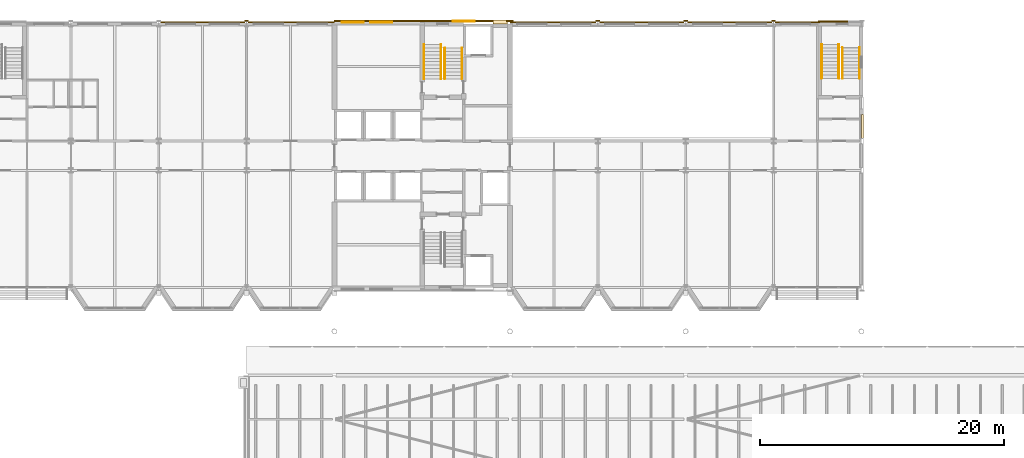
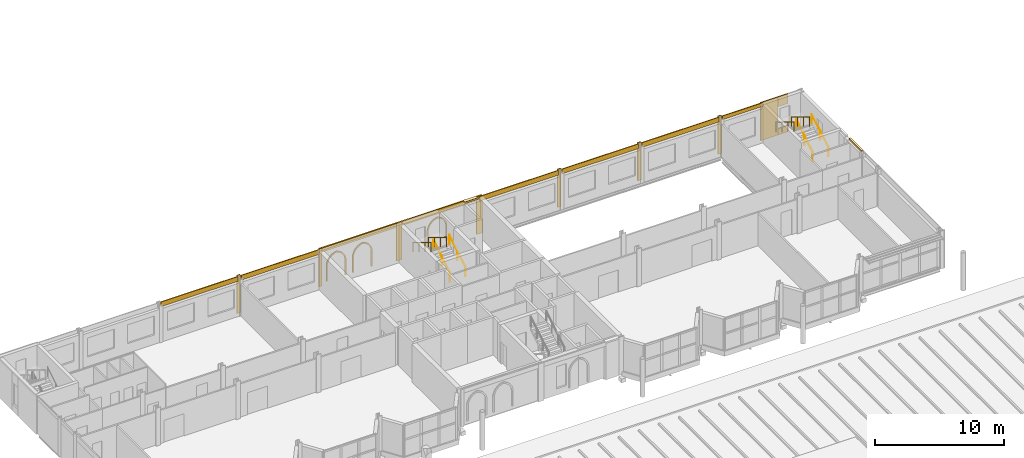
# One storey, part 117 of 120: 23 coverings, 8 railings.
"""IFC4 building model written with IfcOpenShell, lengths in metres."""

from ifc_helpers import new_model, si_unit, direction, frame, origin, origin_2d, place, context, subcontext, project, spatial, polyline, rectangle, circle, outline, extrude, material, layer, layer_set, type_object, element, save


model = new_model("IFC4")

# Units and contexts
model_context = context("Model", 3, precision=1e-05, world=origin(), true_north=direction((0.0, 1.0)))
body_context = subcontext(model_context, "Body", "Model", "MODEL_VIEW")
ifc_project = project(units=[si_unit("LENGTHUNIT", "METRE"), si_unit("AREAUNIT", "SQUARE_METRE"), si_unit("VOLUMEUNIT", "CUBIC_METRE"), si_unit("PLANEANGLEUNIT", "RADIAN"), si_unit("MASSUNIT", "GRAM", prefix="KILO")], contexts=[model_context])

# Site, building, storey
site_placement = place(None, origin())
site = spatial("IfcSite", under=ifc_project, at=site_placement, CompositionType="ELEMENT")
building_placement = place(site_placement, origin())
building = spatial("IfcBuilding", under=site, at=building_placement, Name="Kupolbacken Congress Centre", CompositionType="ELEMENT")
storey_placement = place(building_placement, frame((0.0, 0.0, 21.60009765625)))
storey = spatial("IfcBuildingStorey", under=building, at=storey_placement, Name="L06", CompositionType="ELEMENT", Elevation=21.60009765625)

# Coverings
ifc_material_1 = material(Name="Limestone cladding", Category="masonry")
ifc_layer_1 = layer(ifc_material_1, 0.1201171875)
ifc_layer_set_1 = layer_set([ifc_layer_1], Name="Limestone cladding")
covering_type_1 = type_object("IfcCoveringType", Name="CV1 limestone cladding band 120", PredefinedType="CLADDING", material=ifc_layer_set_1)
covering_1_placement = place(storey_placement, frame((136.885009765625, 135.60009765625, 3.4599609375), z_axis=(0.0, 0.0, 1.0), x_axis=(0.0, 1.0, 0.0)))
element("IfcCovering", 1, at=covering_1_placement, inside=storey, type_object=covering_type_1, Name="E/T/E/L06/082/band", PredefinedType="CLADDING", context=body_context, shape_type="SweptSolid", body=[
    extrude(rectangle(XDim=1.949951171875, YDim=0.169921875, at=origin_2d()), origin(), (0.0, 0.0, 1.0), 0.139892578125),
])
covering_2_placement = place(storey_placement, frame((131.57666015625, 144.12744140625, 3.259765625), z_axis=(0.0, 0.0, 1.0), x_axis=(-1.0, 0.0, 0.0)))
element("IfcCovering", 2, at=covering_2_placement, inside=storey, type_object=covering_type_1, Name="E/T/N/L06/084/band", PredefinedType="CLADDING", context=body_context, shape_type="SweptSolid", body=[
    extrude(rectangle(XDim=3.646484375, YDim=0.0849609375, at=origin_2d()), origin(), (0.0, 0.0, 1.0), 0.340087890625),
])
for number, where, z_axis, x_axis, name in (
    (3, (126.0, 144.12744140625, 3.159912109375), (0.0, 0.0, 1.0), (-1.0, 0.0, 0.0), "E/T/N/L06/085/band"),
    (4, (118.800048828125, 144.12744140625, 3.159912109375), (0.0, 0.0, 1.0), (-1.0, 0.0, 0.0), "E/T/N/L06/086/band"),
):
    element("IfcCovering", number, at=place(storey_placement, frame(where, z_axis=z_axis, x_axis=x_axis)), inside=storey, type_object=covering_type_1, Name=name, PredefinedType="CLADDING", context=body_context, shape_type="SweptSolid", body=[
        extrude(rectangle(XDim=6.89306640625, YDim=0.0849609375, at=origin_2d()), origin(), (0.0, 0.0, 1.0), 0.43994140625),
    ])
covering_3_placement = place(storey_placement, frame((111.523193359375, 144.12744140625, 3.159912109375), z_axis=(0.0, 0.0, 1.0), x_axis=(-1.0, 0.0, 0.0)))
element("IfcCovering", 5, at=covering_3_placement, inside=storey, type_object=covering_type_1, Name="E/T/N/L06/087/band", PredefinedType="CLADDING", context=body_context, shape_type="SweptSolid", body=[
    extrude(rectangle(XDim=7.04638671875, YDim=0.0849609375, at=origin_2d()), origin(), (0.0, 0.0, 1.0), 0.43994140625),
])
covering_4_placement = place(storey_placement, frame((107.199951171875, 144.155029296875, 3.4599609375), z_axis=(0.0, 0.0, 1.0), x_axis=(-1.0, 0.0, 0.0)))
element("IfcCovering", 6, at=covering_4_placement, inside=storey, type_object=covering_type_1, Name="E/T/N/L06/088/band", PredefinedType="CLADDING", context=body_context, shape_type="SweptSolid", body=[
    extrude(rectangle(XDim=1.199951171875, YDim=0.31005859375, at=origin_2d()), origin(), (0.0, 0.0, 1.0), 0.139892578125),
])
covering_5_placement = place(storey_placement, frame((90.07666015625, 144.12744140625, 3.159912109375), z_axis=(0.0, 0.0, 1.0), x_axis=(-1.0, 0.0, 0.0)))
element("IfcCovering", 7, at=covering_5_placement, inside=storey, type_object=covering_type_1, Name="E/T/N/L06/089/band", PredefinedType="CLADDING", context=body_context, shape_type="SweptSolid", body=[
    extrude(rectangle(XDim=7.04638671875, YDim=0.0849609375, at=origin_2d()), origin(), (0.0, 0.0, 1.0), 0.43994140625),
])
covering_6_placement = place(storey_placement, frame((82.800048828125, 144.12744140625, 3.159912109375), z_axis=(0.0, 0.0, 1.0), x_axis=(-1.0, 0.0, 0.0)))
element("IfcCovering", 8, at=covering_6_placement, inside=storey, type_object=covering_type_1, Name="E/T/N/L06/090/band", PredefinedType="CLADDING", context=body_context, shape_type="SweptSolid", body=[
    extrude(rectangle(XDim=6.89306640625, YDim=0.0849609375, at=origin_2d()), origin(), (0.0, 0.0, 1.0), 0.43994140625),
])
ifc_material_2 = material(Name="Brick cladding", Category="masonry")
ifc_layer_2 = layer(ifc_material_2, 0.10791015625)
ifc_layer_set_2 = layer_set([ifc_layer_2], Name="Brick cladding")
covering_type_2 = type_object("IfcCoveringType", Name="CV2 brick cladding band 108", PredefinedType="CLADDING", material=ifc_layer_set_2)
for number, where, z_axis, x_axis, name in (
    (9, (86.39990234375, 144.26611328125, -0.000244140625), (0.0, 0.0, 1.0), (1.0, 0.0, 0.0), "E/T/pilaster/L06/C-T-13W/N"),
    (10, (115.199951171875, 144.26611328125, -0.000244140625), (0.0, 0.0, 1.0), (1.0, 0.0, 0.0), "E/T/pilaster/L06/C-T-17W/N"),
    (11, (122.39990234375, 144.26611328125, -0.000244140625), (0.0, 0.0, 1.0), (1.0, 0.0, 0.0), "E/T/pilaster/L06/C-T-18W/N"),
    (12, (129.60009765625, 144.26611328125, -0.000244140625), (0.0, 0.0, 1.0), (1.0, 0.0, 0.0), "E/T/pilaster/L06/C-T-19W/N"),
):
    element("IfcCovering", number, at=place(storey_placement, frame(where, z_axis=z_axis, x_axis=x_axis)), inside=storey, type_object=covering_type_2, Name=name, PredefinedType="CLADDING", context=body_context, shape_type="SweptSolid", body=[
        extrude(rectangle(XDim=0.306884765625, YDim=0.10009765625, at=origin_2d()), origin(), (0.0, 0.0, 1.0), 3.60009765625),
    ])
covering_7_placement = place(storey_placement, frame((134.02490234375, 144.2041015625, -0.000244140625), z_axis=(0.0, 0.0, 1.0), x_axis=(-1.0, 0.0, 0.0)))
element("IfcCovering", 13, at=covering_7_placement, inside=storey, type_object=covering_type_2, Name="S/core/L06/131/face1", PredefinedType="CLADDING", context=body_context, shape_type="SweptSolid", body=[
    extrude(rectangle(XDim=1.550048828125, YDim=0.10791015625, at=origin_2d()), origin(), (0.0, 0.0, 1.0), 3.60009765625),
])
covering_8_placement = place(storey_placement, frame((135.25, 144.2041015625, -0.000244140625), z_axis=(0.0, 0.0, 1.0), x_axis=(-1.0, 0.0, 0.0)))
element("IfcCovering", 14, at=covering_8_placement, inside=storey, type_object=covering_type_2, Name="S/core/L06/131/face2", PredefinedType="CLADDING", context=body_context, shape_type="SweptSolid", body=[
    extrude(rectangle(XDim=0.89990234375, YDim=0.10791015625, at=origin_2d()), origin(), (0.0, 0.0, 1.0), 0.60009765625),
])
covering_9_placement = place(storey_placement, frame((135.25, 144.2041015625, 2.699951171875), z_axis=(0.0, 0.0, 1.0), x_axis=(-1.0, 0.0, 0.0)))
element("IfcCovering", 15, at=covering_9_placement, inside=storey, type_object=covering_type_2, Name="S/core/L06/131/face3", PredefinedType="CLADDING", context=body_context, shape_type="SweptSolid", body=[
    extrude(rectangle(XDim=0.89990234375, YDim=0.10791015625, at=origin_2d()), origin(), (0.0, 0.0, 1.0), 0.89990234375),
])
covering_10_placement = place(storey_placement, frame((93.72509765625, 144.235107421875, -0.000244140625), z_axis=(0.0, 0.0, 1.0), x_axis=(1.0, 0.0, 0.0)))
element("IfcCovering", 16, at=covering_10_placement, inside=storey, type_object=covering_type_2, Name="E/T/stripe/N/L06/pil93.6", PredefinedType="CLADDING", context=body_context, shape_type="SweptSolid", body=[
    extrude(rectangle(XDim=0.25, YDim=0.1201171875, at=origin_2d()), origin(), (0.0, 0.0, 1.0), 3.60009765625),
])
for number, where, z_axis, x_axis, name in (
    (17, (100.800048828125, 144.235107421875, -0.000244140625), (0.0, 0.0, 1.0), (1.0, 0.0, 0.0), "E/T/stripe/N/L06/pil100.8"),
    (18, (108.0, 144.235107421875, -0.000244140625), (0.0, 0.0, 1.0), (1.0, 0.0, 0.0), "E/T/stripe/N/L06/pil108"),
):
    element("IfcCovering", number, at=place(storey_placement, frame(where, z_axis=z_axis, x_axis=x_axis)), inside=storey, type_object=covering_type_2, Name=name, PredefinedType="CLADDING", context=body_context, shape_type="SweptSolid", body=[
        extrude(rectangle(XDim=0.5, YDim=0.1201171875, at=origin_2d()), origin(), (0.0, 0.0, 1.0), 3.60009765625),
    ])
covering_11_placement = place(storey_placement, frame((97.199951171875, 144.235107421875, 3.199951171875), z_axis=(0.0, 0.0, 1.0), x_axis=(1.0, 0.0, 0.0)))
element("IfcCovering", 19, at=covering_11_placement, inside=storey, type_object=covering_type_2, Name="E/T/stripe/N/L06/belt93.6", PredefinedType="CLADDING", context=body_context, shape_type="SweptSolid", body=[
    extrude(rectangle(XDim=6.699951171875, YDim=0.1201171875, at=origin_2d()), origin(), (0.0, 0.0, 1.0), 0.39990234375),
])
covering_12_placement = place(storey_placement, frame((94.199951171875, 144.10009765625, 0.349853515625), z_axis=(0.0, 1.0, 0.0), x_axis=(-1.0, 0.0, 0.0)))
element("IfcCovering", 20, at=covering_12_placement, inside=storey, type_object=covering_type_2, Name="E/T/stripe/N/L06/niche93.6/1", PredefinedType="CLADDING", context=body_context, shape_type="SweptSolid", body=[
    extrude(outline(polyline([(0.0, 0.0), (0.0, 1.43408203125), (-0.00537109375, 1.54443359375), (-0.021484375, 1.654052734375), (-0.048095703125, 1.761474609375), (-0.084716796875, 1.86572265625), (-0.131591796875, 1.966064453125), (-0.187744140625, 2.061279296875), (-0.2529296875, 2.15087890625), (-0.32666015625, 2.2333984375), (-0.40771484375, 2.30859375), (-0.495849609375, 2.37548828125), (-0.590087890625, 2.433837890625), (-0.689453125, 2.482421875), (-0.793212890625, 2.521240234375), (-0.89990234375, 2.550048828125), (-1.0068359375, 2.521240234375), (-1.110595703125, 2.482421875), (-1.2099609375, 2.433837890625), (-1.30419921875, 2.37548828125), (-1.39208984375, 2.30859375), (-1.473388671875, 2.2333984375), (-1.547119140625, 2.15087890625), (-1.6123046875, 2.061279296875), (-1.66845703125, 1.966064453125), (-1.715087890625, 1.86572265625), (-1.751953125, 1.761474609375), (-1.778564453125, 1.654052734375), (-1.794677734375, 1.54443359375), (-1.800048828125, 1.43408203125), (-1.800048828125, 0.0), (-1.679931640625, 0.0), (-1.679931640625, 1.43408203125), (-1.67529296875, 1.531005859375), (-1.66162109375, 1.627197265625), (-1.638671875, 1.7216796875), (-1.60693359375, 1.8134765625), (-1.566650390625, 1.90185546875), (-1.51806640625, 1.986083984375), (-1.461669921875, 2.065185546875), (-1.398193359375, 2.138916015625), (-1.327880859375, 2.205810546875), (-1.25146484375, 2.26611328125), (-1.169677734375, 2.318603515625), (-1.08349609375, 2.36328125), (-0.9931640625, 2.3994140625), (-0.89990234375, 2.427001953125), (-0.806884765625, 2.3994140625), (-0.716552734375, 2.36328125), (-0.63037109375, 2.318603515625), (-0.548583984375, 2.26611328125), (-0.47216796875, 2.205810546875), (-0.40185546875, 2.138916015625), (-0.33837890625, 2.065185546875), (-0.281982421875, 1.986083984375), (-0.2333984375, 1.90185546875), (-0.193115234375, 1.8134765625), (-0.161376953125, 1.7216796875), (-0.138427734375, 1.627197265625), (-0.12451171875, 1.531005859375), (-0.1201171875, 1.43408203125), (-0.1201171875, 0.0), (0.0, 0.0)])), origin(), (0.0, 0.0, 1.0), 0.080078125),
])
covering_13_placement = place(storey_placement, frame((96.550048828125, 144.10009765625, 0.349853515625), z_axis=(0.0, 1.0, 0.0), x_axis=(-1.0, 0.0, 0.0)))
element("IfcCovering", 21, at=covering_13_placement, inside=storey, type_object=covering_type_2, Name="E/T/stripe/N/L06/niche93.6/2", PredefinedType="CLADDING", context=body_context, shape_type="SweptSolid", body=[
    extrude(outline(polyline([(0.0, 0.0), (0.0, 1.43408203125), (-0.00537109375, 1.54443359375), (-0.021484375, 1.654052734375), (-0.048095703125, 1.761474609375), (-0.084716796875, 1.86572265625), (-0.131591796875, 1.966064453125), (-0.187744140625, 2.061279296875), (-0.2529296875, 2.15087890625), (-0.32666015625, 2.2333984375), (-0.40771484375, 2.30859375), (-0.495849609375, 2.37548828125), (-0.590087890625, 2.433837890625), (-0.689453125, 2.482421875), (-0.793212890625, 2.521240234375), (-0.89990234375, 2.550048828125), (-1.0068359375, 2.521240234375), (-1.110595703125, 2.482421875), (-1.2099609375, 2.433837890625), (-1.30419921875, 2.37548828125), (-1.39208984375, 2.30859375), (-1.473388671875, 2.2333984375), (-1.547119140625, 2.15087890625), (-1.6123046875, 2.061279296875), (-1.66845703125, 1.966064453125), (-1.715087890625, 1.86572265625), (-1.751953125, 1.761474609375), (-1.778564453125, 1.654052734375), (-1.794677734375, 1.54443359375), (-1.800048828125, 1.43408203125), (-1.800048828125, 0.0), (-1.679931640625, 0.0), (-1.679931640625, 1.43408203125), (-1.67529296875, 1.531005859375), (-1.66162109375, 1.627197265625), (-1.638671875, 1.7216796875), (-1.60693359375, 1.8134765625), (-1.566650390625, 1.90185546875), (-1.51806640625, 1.986083984375), (-1.461669921875, 2.065185546875), (-1.398193359375, 2.138916015625), (-1.327880859375, 2.205810546875), (-1.25146484375, 2.26611328125), (-1.169677734375, 2.318603515625), (-1.08349609375, 2.36328125), (-0.9931640625, 2.3994140625), (-0.89990234375, 2.427001953125), (-0.806884765625, 2.3994140625), (-0.716552734375, 2.36328125), (-0.63037109375, 2.318603515625), (-0.548583984375, 2.26611328125), (-0.47216796875, 2.205810546875), (-0.40185546875, 2.138916015625), (-0.33837890625, 2.065185546875), (-0.281982421875, 1.986083984375), (-0.2333984375, 1.90185546875), (-0.193115234375, 1.8134765625), (-0.161376953125, 1.7216796875), (-0.138427734375, 1.627197265625), (-0.12451171875, 1.531005859375), (-0.1201171875, 1.43408203125), (-0.1201171875, 0.0), (0.0, 0.0)])), origin(), (0.0, 0.0, 1.0), 0.080078125),
])
covering_14_placement = place(storey_placement, frame((104.39990234375, 144.235107421875, 3.199951171875), z_axis=(0.0, 0.0, 1.0), x_axis=(1.0, 0.0, 0.0)))
element("IfcCovering", 22, at=covering_14_placement, inside=storey, type_object=covering_type_2, Name="E/T/stripe/N/L06/belt100.8", PredefinedType="CLADDING", context=body_context, shape_type="SweptSolid", body=[
    extrude(rectangle(XDim=6.699951171875, YDim=0.1201171875, at=origin_2d()), origin(), (0.0, 0.0, 1.0), 0.39990234375),
])
covering_15_placement = place(storey_placement, frame((103.300048828125, 144.175048828125, 0.349853515625), z_axis=(0.0, 1.0, 0.0), x_axis=(-1.0, 0.0, 0.0)))
element("IfcCovering", 23, at=covering_15_placement, inside=storey, type_object=covering_type_2, Name="E/T/stripe/N/L06/niche100.8/1", PredefinedType="CLADDING", context=body_context, shape_type="SweptSolid", body=[
    extrude(outline(polyline([(0.0, 0.0), (0.0, 1.43408203125), (-0.00537109375, 1.54443359375), (-0.021484375, 1.654052734375), (-0.048095703125, 1.761474609375), (-0.084716796875, 1.86572265625), (-0.131591796875, 1.966064453125), (-0.187744140625, 2.061279296875), (-0.2529296875, 2.15087890625), (-0.32666015625, 2.2333984375), (-0.40771484375, 2.30859375), (-0.495849609375, 2.37548828125), (-0.590087890625, 2.433837890625), (-0.689453125, 2.482421875), (-0.793212890625, 2.521240234375), (-0.89990234375, 2.550048828125), (-1.0068359375, 2.521240234375), (-1.110595703125, 2.482421875), (-1.2099609375, 2.433837890625), (-1.30419921875, 2.37548828125), (-1.39208984375, 2.30859375), (-1.473388671875, 2.2333984375), (-1.547119140625, 2.15087890625), (-1.6123046875, 2.061279296875), (-1.66845703125, 1.966064453125), (-1.715087890625, 1.86572265625), (-1.751953125, 1.761474609375), (-1.778564453125, 1.654052734375), (-1.794677734375, 1.54443359375), (-1.800048828125, 1.43408203125), (-1.800048828125, 0.0), (-1.679931640625, 0.0), (-1.679931640625, 1.43408203125), (-1.67529296875, 1.531005859375), (-1.66162109375, 1.627197265625), (-1.638671875, 1.7216796875), (-1.60693359375, 1.8134765625), (-1.566650390625, 1.90185546875), (-1.51806640625, 1.986083984375), (-1.461669921875, 2.065185546875), (-1.398193359375, 2.138916015625), (-1.327880859375, 2.205810546875), (-1.25146484375, 2.26611328125), (-1.169677734375, 2.318603515625), (-1.08349609375, 2.36328125), (-0.9931640625, 2.3994140625), (-0.89990234375, 2.427001953125), (-0.806884765625, 2.3994140625), (-0.716552734375, 2.36328125), (-0.63037109375, 2.318603515625), (-0.548583984375, 2.26611328125), (-0.47216796875, 2.205810546875), (-0.40185546875, 2.138916015625), (-0.33837890625, 2.065185546875), (-0.281982421875, 1.986083984375), (-0.2333984375, 1.90185546875), (-0.193115234375, 1.8134765625), (-0.161376953125, 1.7216796875), (-0.138427734375, 1.627197265625), (-0.12451171875, 1.531005859375), (-0.1201171875, 1.43408203125), (-0.1201171875, 0.0), (0.0, 0.0)])), origin(), (0.0, 0.0, 1.0), 0.080078125),
])

# Railings
ifc_material_3 = material(Name="Steel S235", Category="steel")
railing_type = type_object("IfcRailingType", Name="RL3 handrail wall-mounted 900", PredefinedType="HANDRAIL", material=ifc_material_3)
for number, where, name in (
    (24, (102.64990234375, 139.5048828125, 0.17138671875), "C/stair/TS2/L06/HR1L"),
    (25, (104.050048828125, 139.5048828125, 0.17138671875), "C/stair/TS2/L06/HR1R"),
):
    element("IfcRailing", number, at=place(storey_placement, frame(where)), inside=storey, type_object=railing_type, Name=name, PredefinedType="HANDRAIL", context=body_context, shape_type="SweptSolid", body=[
        extrude(circle(Radius=0.02392578125, at=origin_2d()), frame((0.0, 0.0, 0.8759765625), z_axis=(0.0, 0.852873080145, 0.522118290393), x_axis=(-1.0, 0.0, 0.0)), (0.0, 0.0, 1.0), 2.954833984375),
        extrude(circle(Radius=0.02099609375, at=origin_2d()), origin(), (0.0, 0.0, 1.0), 0.851806640625),
        extrude(circle(Radius=0.02099609375, at=origin_2d()), frame((0.0, 1.260009765625, 0.771484375)), (0.0, 0.0, 1.0), 0.851806640625),
        extrude(circle(Radius=0.02099609375, at=origin_2d()), frame((0.0, 2.52001953125, 1.542724609375)), (0.0, 0.0, 1.0), 0.851806640625),
    ])
for number, where, name in (
    (26, (102.35009765625, 142.304931640625, 1.885498046875), "C/stair/TS2/L06/HR2L"),
    (27, (100.949951171875, 142.304931640625, 1.885498046875), "C/stair/TS2/L06/HR2R"),
):
    element("IfcRailing", number, at=place(storey_placement, frame(where)), inside=storey, type_object=railing_type, Name=name, PredefinedType="HANDRAIL", context=body_context, shape_type="SweptSolid", body=[
        extrude(circle(Radius=0.02392578125, at=origin_2d()), frame((0.0, 0.0, 0.8759765625), z_axis=(0.0, -0.852845897599, 0.522162690116), x_axis=(1.0, 0.0, 0.0)), (0.0, 0.0, 1.0), 3.283203125),
        extrude(circle(Radius=0.02099609375, at=origin_2d()), origin(), (0.0, 0.0, 1.0), 0.851806640625),
        extrude(circle(Radius=0.02099609375, at=origin_2d()), frame((0.0, -0.933349609375, 0.571533203125)), (0.0, 0.0, 1.0), 0.851806640625),
        extrude(circle(Radius=0.02099609375, at=origin_2d()), frame((0.0, -1.86669921875, 1.142822265625)), (0.0, 0.0, 1.0), 0.851806640625),
        extrude(circle(Radius=0.02099609375, at=origin_2d()), frame((0.0, -2.800048828125, 1.71435546875)), (0.0, 0.0, 1.0), 0.851806640625),
    ])
for number, where, name in (
    (28, (135.25, 139.530029296875, 0.17138671875), "C/stair/TS4/L06/HR1L"),
    (29, (136.64990234375, 139.530029296875, 0.17138671875), "C/stair/TS4/L06/HR1R"),
):
    element("IfcRailing", number, at=place(storey_placement, frame(where)), inside=storey, type_object=railing_type, Name=name, PredefinedType="HANDRAIL", context=body_context, shape_type="SweptSolid", body=[
        extrude(circle(Radius=0.02392578125, at=origin_2d()), frame((0.0, 0.0, 0.8759765625), z_axis=(0.0, 0.852873080145, 0.522118290393), x_axis=(-1.0, 0.0, 0.0)), (0.0, 0.0, 1.0), 2.954833984375),
        extrude(circle(Radius=0.02099609375, at=origin_2d()), origin(), (0.0, 0.0, 1.0), 0.851806640625),
        extrude(circle(Radius=0.02099609375, at=origin_2d()), frame((0.0, 1.260009765625, 0.771484375)), (0.0, 0.0, 1.0), 0.851806640625),
        extrude(circle(Radius=0.02099609375, at=origin_2d()), frame((0.0, 2.52001953125, 1.542724609375)), (0.0, 0.0, 1.0), 0.851806640625),
    ])
for number, where, name in (
    (30, (134.949951171875, 142.330078125, 1.885498046875), "C/stair/TS4/L06/HR2L"),
    (31, (133.550048828125, 142.330078125, 1.885498046875), "C/stair/TS4/L06/HR2R"),
):
    element("IfcRailing", number, at=place(storey_placement, frame(where)), inside=storey, type_object=railing_type, Name=name, PredefinedType="HANDRAIL", context=body_context, shape_type="SweptSolid", body=[
        extrude(circle(Radius=0.02392578125, at=origin_2d()), frame((0.0, 0.0, 0.8759765625), z_axis=(0.0, -0.852845897599, 0.522162690116), x_axis=(1.0, 0.0, 0.0)), (0.0, 0.0, 1.0), 3.283203125),
        extrude(circle(Radius=0.02099609375, at=origin_2d()), origin(), (0.0, 0.0, 1.0), 0.851806640625),
        extrude(circle(Radius=0.02099609375, at=origin_2d()), frame((0.0, -0.933349609375, 0.571533203125)), (0.0, 0.0, 1.0), 0.851806640625),
        extrude(circle(Radius=0.02099609375, at=origin_2d()), frame((0.0, -1.86669921875, 1.142822265625)), (0.0, 0.0, 1.0), 0.851806640625),
        extrude(circle(Radius=0.02099609375, at=origin_2d()), frame((0.0, -2.800048828125, 1.71435546875)), (0.0, 0.0, 1.0), 0.851806640625),
    ])

save(model, "model.ifc")
